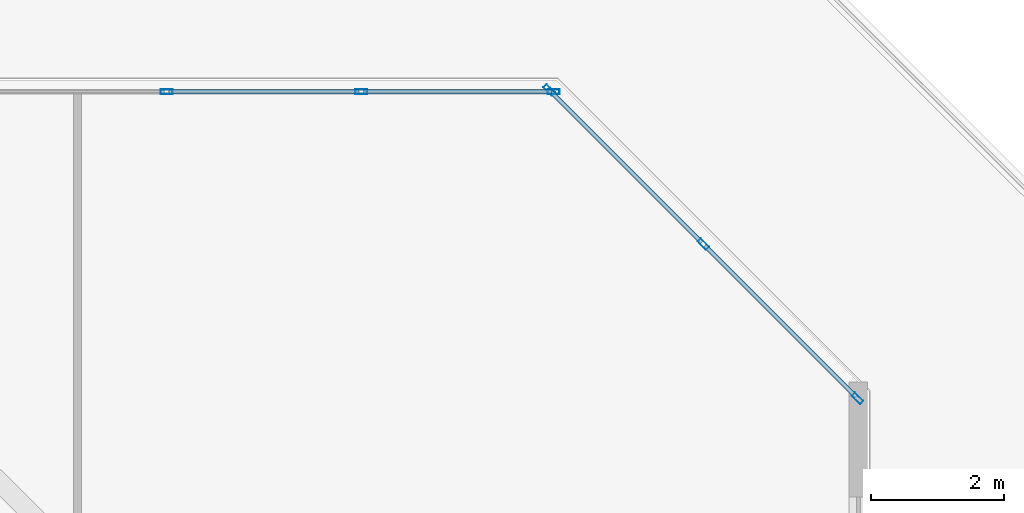
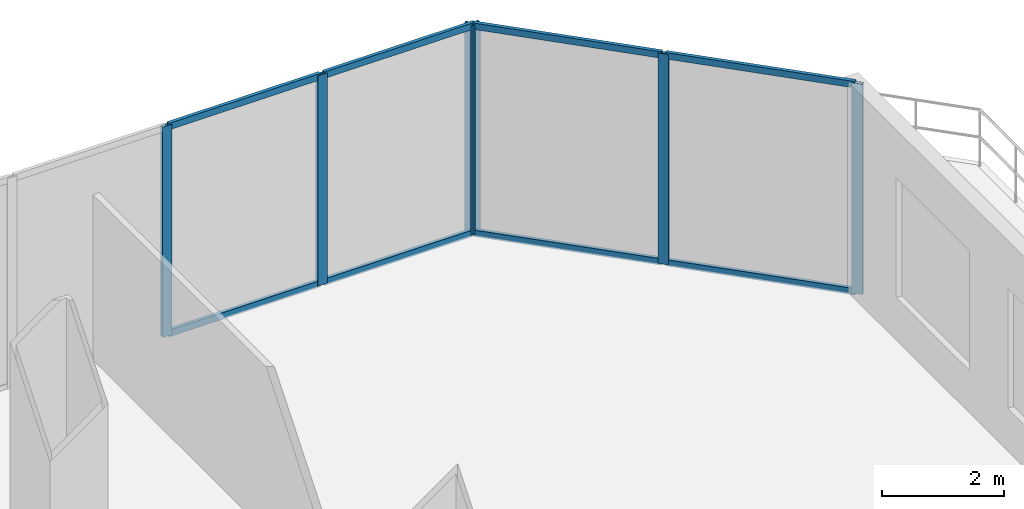
# One storey, part 22 of 31: 14 members, 2 elements without a shape of their own.
"""IFC4 building model written with IfcOpenShell, lengths in metres."""

import ifcopenshell
import ifcopenshell.guid

model = None  # the IFC model being written
_history = None  # IfcOwnerHistory: only IFC2X3 demands one
_inside = {}  # id of a spatial element -> (the spatial element, [elements in it])
_under = {}  # id of a project, library or spatial element -> (it, [spatial elements below it])
_declared = {}  # id of a project -> (the project, [libraries it declares])
_typed = {}  # id of a type object -> (the type object, [elements of that type])
_made_of = {}  # id of a material, layer set ... -> (it, [elements and type objects made of it])


def new_model(schema):
    """Start an empty IFC model of exactly this schema.

    Asked for "IFC4X3", IfcOpenShell would pick the latest addendum, in which some entities
    have other attributes; the version numbers below select the first issue.
    IFC2X3 requires an IfcOwnerHistory on every rooted entity: one is made here for all.
    """
    global model, _history
    if schema == "IFC4X3":
        model = ifcopenshell.file(schema_version=(4, 3, 0, 0))
    else:
        model = ifcopenshell.file(schema=schema)
    _inside.clear()
    _under.clear()
    _declared.clear()
    _typed.clear()
    _made_of.clear()
    _history = None
    if model.schema == "IFC2X3":
        org = make("IfcOrganization", Name="unknown")
        user = make(
            "IfcPersonAndOrganization",
            ThePerson=make("IfcPerson", FamilyName="unknown"),
            TheOrganization=org,
        )
        app = make(
            "IfcApplication",
            ApplicationDeveloper=org,
            Version="unknown",
            ApplicationFullName="unknown",
            ApplicationIdentifier="unknown",
        )
        _history = make(
            "IfcOwnerHistory",
            OwningUser=user,
            OwningApplication=app,
            ChangeAction="ADDED",
            CreationDate=0,
        )
    return model


def make(cls, **values):
    """One entity of the class cls with the attributes given. An attribute that is None is left unset."""
    return model.create_entity(
        cls, **{name: value for name, value in values.items() if value is not None}
    )


def rooted(cls, **values):
    """An entity with a GlobalId (a new one), such as an element, a storey or a relation."""
    return make(cls, GlobalId=ifcopenshell.guid.new(), OwnerHistory=_history, **values)


def si_unit(unit_type, name, prefix=None):
    """IfcSIUnit, for example si_unit("LENGTHUNIT", "METRE", prefix="MILLI")."""
    return make("IfcSIUnit", UnitType=unit_type, Prefix=prefix, Name=name)


def assignment(units):
    """IfcUnitAssignment: the units of a project."""
    return None if units is None else make("IfcUnitAssignment", Units=units)


def point(xyz):
    """IfcCartesianPoint."""
    return None if xyz is None else make("IfcCartesianPoint", Coordinates=xyz)


def direction(xyz):
    """IfcDirection."""
    return None if xyz is None else make("IfcDirection", DirectionRatios=xyz)


def frame(location, z_axis=None, x_axis=None):
    """IfcAxis2Placement3D, a coordinate frame: its origin and axes. An axis left out is left unset."""
    return make(
        "IfcAxis2Placement3D",
        Location=point(location),
        Axis=direction(z_axis),
        RefDirection=direction(x_axis),
    )


def frame_2d(location, x_axis=None):
    """IfcAxis2Placement2D, a coordinate frame in the plane: its origin and x axis."""
    return make(
        "IfcAxis2Placement2D", Location=point(location), RefDirection=direction(x_axis)
    )


def origin():
    """The frame at (0, 0, 0) with its axes left unset."""
    return frame((0.0, 0.0, 0.0))


def origin_2d():
    """The frame at (0, 0) in the plane with its x axis left unset."""
    return frame_2d((0.0, 0.0))


def place(relative_to, where):
    """IfcLocalPlacement: puts the frame where relative to a parent placement (None: the world)."""
    return make(
        "IfcLocalPlacement", PlacementRelTo=relative_to, RelativePlacement=where
    )


def context(
    kind, dimensions, precision=None, world=None, true_north=None, identifier=None
):
    """IfcGeometricRepresentationContext, for example the 3D "Model" context."""
    return make(
        "IfcGeometricRepresentationContext",
        ContextIdentifier=identifier,
        ContextType=kind,
        CoordinateSpaceDimension=dimensions,
        Precision=precision,
        WorldCoordinateSystem=world,
        TrueNorth=true_north,
    )


def subcontext(parent, identifier, kind, view, scale=None):
    """IfcGeometricRepresentationSubContext, for example "Body" below "Model"."""
    return make(
        "IfcGeometricRepresentationSubContext",
        ContextIdentifier=identifier,
        ContextType=kind,
        ParentContext=parent,
        TargetScale=scale,
        TargetView=view,
    )


def project(units=None, contexts=None):
    """IfcProject with its units and contexts."""
    return rooted(
        "IfcProject",
        Name="project",
        RepresentationContexts=contexts,
        UnitsInContext=assignment(units),
    )


def spatial(cls, under=None, at=None, **own):
    """A site, building, storey or space (cls), placed at a placement, below another one or the project."""
    s = rooted(cls, ObjectPlacement=at, **own)
    if under is not None:
        _under.setdefault(under.id(), (under, []))[1].append(s)
    return s


def profile(cls, at=None, kind="AREA", **sizes):
    """A parametric profile (cls). Its sizes go by their IFC names, for example OverallWidth=200.0."""
    return make(cls, ProfileType=kind, Position=at, **sizes)


def hollow_rectangle(**sizes):
    """IfcRectangleHollowProfileDef."""
    return profile("IfcRectangleHollowProfileDef", **sizes)


def extrude(swept, where, along, depth):
    """IfcExtrudedAreaSolid: the profile swept, set in the frame where, extruded along a direction by depth."""
    return make(
        "IfcExtrudedAreaSolid",
        SweptArea=swept,
        Position=where,
        ExtrudedDirection=direction(along),
        Depth=depth,
    )


def shape(context_of_items, identifier, shape_type, items):
    """IfcShapeRepresentation: the items that make up one representation, for example the "Body"."""
    return make(
        "IfcShapeRepresentation",
        ContextOfItems=context_of_items,
        RepresentationIdentifier=identifier,
        RepresentationType=shape_type,
        Items=items,
    )


def material(Name=None, Category=None):
    """IfcMaterial."""
    return make("IfcMaterial", Name=Name, Category=Category)


def layer(
    of_material, thickness, ventilated=None, Name=None, Category=None, Priority=None
):
    """IfcMaterialLayer: one layer of a wall or slab, of a material (None: an air gap)."""
    return make(
        "IfcMaterialLayer",
        Material=of_material,
        LayerThickness=thickness,
        IsVentilated=ventilated,
        Name=Name,
        Category=Category,
        Priority=Priority,
    )


def layer_set(layers, Name=None):
    """IfcMaterialLayerSet."""
    return make("IfcMaterialLayerSet", MaterialLayers=layers, LayerSetName=Name)


def material_profile(
    of_material, cross_section, Name=None, Category=None, Priority=None
):
    """IfcMaterialProfile: a cross section and its material."""
    return make(
        "IfcMaterialProfile",
        Name=Name,
        Material=of_material,
        Profile=cross_section,
        Priority=Priority,
        Category=Category,
    )


def profile_set(profiles, Name=None, composite=None):
    """IfcMaterialProfileSet."""
    return make(
        "IfcMaterialProfileSet",
        Name=Name,
        MaterialProfiles=profiles,
        CompositeProfile=composite,
    )


def made_of(thing, what):
    """Note that an element or type object is made of a material, layer set ...; save() writes the relation."""
    if what is not None:
        _made_of.setdefault(what.id(), (what, []))[1].append(thing)
    return thing


def type_object(cls, material=None, **own):
    """A type object (cls), such as IfcWallType, which elements share."""
    return made_of(rooted(cls, **own), material)


def element(
    cls,
    number,
    at=None,
    inside=None,
    cuts=None,
    type_object=None,
    material=None,
    context=None,
    identifier="Body",
    shape_type=None,
    held_by="IfcProductDefinitionShape",
    body=None,
    shapes=None,
    **own,
):
    """One element of the class cls, such as IfcWall. Its Tag is "e" and its number.

    at: its placement. inside: the storey or other place that contains it. cuts: it is an
    opening in that element (IfcRelVoidsElement). A single representation is given by context,
    identifier, shape_type and body (its items); several are given by shapes. held_by: the class
    of the entity that holds the representations. save() writes the other relations.
    """
    e = rooted(cls, Tag="e%d" % number, ObjectPlacement=at, **own)
    if body is not None:
        shapes = [shape(context, identifier, shape_type, body)]
    if shapes is not None:
        e.Representation = make(held_by, Representations=shapes)
    if inside is not None:
        _inside.setdefault(inside.id(), (inside, []))[1].append(e)
    if cuts is not None:
        rooted(
            "IfcRelVoidsElement", RelatingBuildingElement=cuts, RelatedOpeningElement=e
        )
    if type_object is not None:
        _typed.setdefault(type_object.id(), (type_object, []))[1].append(e)
    return made_of(e, material)


def aggregate(whole, parts):
    """IfcRelAggregates: a whole, such as a stair, and the parts it consists of."""
    return rooted("IfcRelAggregates", RelatingObject=whole, RelatedObjects=parts)


def save(model, path):
    """Write the relations noted so far, then the file.

    IfcRelAggregates (storeys below a building ...), IfcRelContainedInSpatialStructure (elements
    in a storey), IfcRelDefinesByType, IfcRelAssociatesMaterial and IfcRelDeclares: one each for
    every whole, place, type object, material and project.
    """
    for whole, parts in _under.values():
        aggregate(whole, parts)
    for where, things in _inside.values():
        rooted(
            "IfcRelContainedInSpatialStructure",
            RelatedElements=things,
            RelatingStructure=where,
        )
    for kind, things in _typed.values():
        rooted("IfcRelDefinesByType", RelatedObjects=things, RelatingType=kind)
    for what, things in _made_of.values():
        rooted("IfcRelAssociatesMaterial", RelatedObjects=things, RelatingMaterial=what)
    for by, libraries in _declared.values():
        rooted("IfcRelDeclares", RelatingContext=by, RelatedDefinitions=libraries)
    model.write(path)


model = new_model("IFC4")

# Units and contexts
model_context = context("Model", 3, precision=1e-05, world=origin(), true_north=direction((0.0, 1.0)))
body_context = subcontext(model_context, "Body", "Model", "MODEL_VIEW")
ifc_project = project(units=[si_unit("LENGTHUNIT", "METRE"), si_unit("AREAUNIT", "SQUARE_METRE"), si_unit("VOLUMEUNIT", "CUBIC_METRE"), si_unit("PLANEANGLEUNIT", "RADIAN"), si_unit("MASSUNIT", "GRAM", prefix="KILO")], contexts=[model_context])

# Site, building, storey
site_placement = place(None, origin())
site = spatial("IfcSite", under=ifc_project, at=site_placement, CompositionType="ELEMENT")
building_placement = place(site_placement, origin())
building = spatial("IfcBuilding", under=site, at=building_placement, Name="Caelvoria Tower", CompositionType="ELEMENT")
storey_placement = place(building_placement, frame((0.0, 0.0, 9.5)))
storey = spatial("IfcBuildingStorey", under=building, at=storey_placement, Name="L02", CompositionType="ELEMENT", Elevation=9.5)

# Curtain wall, members
ifc_material_1 = material(Name="Anodised Bronze Aluminium and Low-E Glass", Category="aluminium")
ifc_layer = layer(ifc_material_1, 0.199951171875, Name="Anodised Bronze Aluminium and Low-E Glass")
ifc_layer_set = layer_set([ifc_layer], Name="CW System 1 Podium Arcade Unitised Glazing - Anodised Bronze Aluminium and Low-E Glass")
curtain_wall_type = type_object("IfcCurtainWallType", Name="CW System 1 Podium Arcade Unitised Glazing", PredefinedType="NOTDEFINED", material=ifc_layer_set)
curtain_wall_1_placement = place(storey_placement, origin())
curtain_wall_1 = element("IfcCurtainWall", 1, at=curtain_wall_1_placement, inside=storey, type_object=curtain_wall_type, Name="CW-01 Curtain Wall L02-E3", PredefinedType="NOTDEFINED")
ifc_material_2 = material(Name="Anodised Bronze Architectural Aluminium", Category="aluminium")
ifc_material_profile_1 = material_profile(ifc_material_2, hollow_rectangle(XDim=0.070068359375, YDim=0.179931640625, WallThickness=0.00390625, at=origin_2d()), Name="Anodised Bronze Architectural Aluminium")
ifc_profile_set_1 = profile_set([ifc_material_profile_1], Name="CW_MULL_70X180 - Anodised Bronze Architectural Aluminium")
member_type_1 = type_object("IfcMemberType", Name="Curtain Wall Mullion 70x180 Bronze Aluminium", PredefinedType="MULLION", material=ifc_profile_set_1)
member_1_placement = place(storey_placement, frame((82.847900390625, 52.99755859375, 0.0), z_axis=(0.0, 0.0, 1.0), x_axis=(-0.707106781187, -0.707106781187, 0.0)))
member_1 = element("IfcMember", 2, at=member_1_placement, type_object=member_type_1, Name="CW-01 mullion 1", PredefinedType="MULLION", context=body_context, shape_type="SweptSolid", body=[
    extrude(hollow_rectangle(XDim=0.070068359375, YDim=0.179931640625, WallThickness=0.00390625, at=origin_2d()), origin(), (0.0, 0.0, 1.0), 4.2099609375),
])
member_2_placement = place(storey_placement, frame((80.522705078125, 55.32275390625, 0.0), z_axis=(0.0, 0.0, 1.0), x_axis=(-0.707106781187, -0.707106781187, 0.0)))
member_2 = element("IfcMember", 3, at=member_2_placement, type_object=member_type_1, Name="CW-01 mullion 2", PredefinedType="MULLION", context=body_context, shape_type="SweptSolid", body=[
    extrude(hollow_rectangle(XDim=0.070068359375, YDim=0.179931640625, WallThickness=0.00390625, at=origin_2d()), origin(), (0.0, 0.0, 1.0), 4.2099609375),
])
member_3_placement = place(storey_placement, frame((78.197509765625, 57.64794921875, 0.0), z_axis=(0.0, 0.0, 1.0), x_axis=(-0.707106781187, -0.707106781187, 0.0)))
member_3 = element("IfcMember", 4, at=member_3_placement, type_object=member_type_1, Name="CW-01 mullion 3", PredefinedType="MULLION", context=body_context, shape_type="SweptSolid", body=[
    extrude(hollow_rectangle(XDim=0.070068359375, YDim=0.179931640625, WallThickness=0.00390625, at=origin_2d()), origin(), (0.0, 0.0, 1.0), 4.2099609375),
])

curtain_wall_2_placement = place(storey_placement, origin())
curtain_wall_2 = element("IfcCurtainWall", 5, at=curtain_wall_2_placement, inside=storey, type_object=curtain_wall_type, Name="CW-01 Curtain Wall L02-E4", PredefinedType="NOTDEFINED")
member_4_placement = place(storey_placement, frame((78.264892578125, 57.6201171875, 0.0), z_axis=(0.0, 0.0, 1.0), x_axis=(0.0, -1.0, 0.0)))
member_4 = element("IfcMember", 6, at=member_4_placement, type_object=member_type_1, Name="CW-01 mullion 1", PredefinedType="MULLION", context=body_context, shape_type="SweptSolid", body=[
    extrude(hollow_rectangle(XDim=0.070068359375, YDim=0.179931640625, WallThickness=0.00390625, at=origin_2d()), origin(), (0.0, 0.0, 1.0), 4.2099609375),
])
member_5_placement = place(storey_placement, frame((75.363525390625, 57.6201171875, 0.0), z_axis=(0.0, 0.0, 1.0), x_axis=(0.0, -1.0, 0.0)))
member_5 = element("IfcMember", 7, at=member_5_placement, type_object=member_type_1, Name="CW-01 mullion 2", PredefinedType="MULLION", context=body_context, shape_type="SweptSolid", body=[
    extrude(hollow_rectangle(XDim=0.070068359375, YDim=0.179931640625, WallThickness=0.00390625, at=origin_2d()), origin(), (0.0, 0.0, 1.0), 4.2099609375),
])
member_6_placement = place(storey_placement, frame((72.42724609375, 57.6201171875, 0.0), z_axis=(0.0, 0.0, 1.0), x_axis=(0.0, -1.0, 0.0)))
member_6 = element("IfcMember", 8, at=member_6_placement, type_object=member_type_1, Name="CW-01 mullion 3", PredefinedType="MULLION", context=body_context, shape_type="SweptSolid", body=[
    extrude(hollow_rectangle(XDim=0.070068359375, YDim=0.179931640625, WallThickness=0.00390625, at=origin_2d()), origin(), (0.0, 0.0, 1.0), 4.2099609375),
])

# Member
ifc_material_profile_2 = material_profile(ifc_material_2, hollow_rectangle(XDim=0.06494140625, YDim=0.1298828125, WallThickness=0.00341796875, at=origin_2d()), Name="Anodised Bronze Architectural Aluminium")
ifc_profile_set_2 = profile_set([ifc_material_profile_2], Name="CW_TRAN_65X130 - Anodised Bronze Architectural Aluminium")
member_type_2 = type_object("IfcMemberType", Name="Curtain Wall Transom 65x130 Bronze Aluminium", PredefinedType="USERDEFINED", material=ifc_profile_set_2)
member_7_placement = place(storey_placement, frame((82.8232421875, 53.022216796875, 0.032470703125), z_axis=(-0.707144708978, 0.707068851361, 0.0), x_axis=(-0.707068851361, -0.707144708978, 0.0)))
member_7 = element("IfcMember", 9, at=member_7_placement, type_object=member_type_2, Name="CW-01 transom 1.1", ObjectType="TRANSOM", PredefinedType="USERDEFINED", context=body_context, shape_type="SweptSolid", body=[
    extrude(hollow_rectangle(XDim=0.06494140625, YDim=0.1298828125, WallThickness=0.00341796875, at=origin_2d()), origin(), (0.0, 0.0, 1.0), 3.218505859375),
])

member_8_placement = place(storey_placement, frame((82.8232421875, 53.022216796875, 4.177490234375), z_axis=(-0.707144708978, 0.707068851361, 0.0), x_axis=(-0.707068851361, -0.707144708978, 0.0)))
member_8 = element("IfcMember", 10, at=member_8_placement, type_object=member_type_2, Name="CW-01 transom 1.2", ObjectType="TRANSOM", PredefinedType="USERDEFINED", context=body_context, shape_type="SweptSolid", body=[
    extrude(hollow_rectangle(XDim=0.06494140625, YDim=0.1298828125, WallThickness=0.00341796875, at=origin_2d()), origin(), (0.0, 0.0, 1.0), 3.218505859375),
])

member_9_placement = place(storey_placement, frame((80.498046875, 55.347412109375, 0.032470703125), z_axis=(-0.707106781187, 0.707106781187, 0.0), x_axis=(-0.707106781187, -0.707106781187, 0.0)))
member_9 = element("IfcMember", 11, at=member_9_placement, type_object=member_type_2, Name="CW-01 transom 2.1", ObjectType="TRANSOM", PredefinedType="USERDEFINED", context=body_context, shape_type="SweptSolid", body=[
    extrude(hollow_rectangle(XDim=0.06494140625, YDim=0.1298828125, WallThickness=0.00341796875, at=origin_2d()), origin(), (0.0, 0.0, 1.0), 3.218505859375),
])

member_10_placement = place(storey_placement, frame((80.498046875, 55.347412109375, 4.177490234375), z_axis=(-0.707106781187, 0.707106781187, 0.0), x_axis=(-0.707106781187, -0.707106781187, 0.0)))
member_10 = element("IfcMember", 12, at=member_10_placement, type_object=member_type_2, Name="CW-01 transom 2.2", ObjectType="TRANSOM", PredefinedType="USERDEFINED", context=body_context, shape_type="SweptSolid", body=[
    extrude(hollow_rectangle(XDim=0.06494140625, YDim=0.1298828125, WallThickness=0.00341796875, at=origin_2d()), origin(), (0.0, 0.0, 1.0), 3.218505859375),
])

aggregate(curtain_wall_1, [member_1, member_2, member_3, member_7, member_8, member_9, member_10])

member_11_placement = place(storey_placement, frame((78.22998046875, 57.6201171875, 0.032470703125), z_axis=(-1.0, 0.0, 0.0), x_axis=(0.0, -1.0, 0.0)))
member_11 = element("IfcMember", 13, at=member_11_placement, type_object=member_type_2, Name="CW-01 transom 1.1", ObjectType="TRANSOM", PredefinedType="USERDEFINED", context=body_context, shape_type="SweptSolid", body=[
    extrude(hollow_rectangle(XDim=0.06494140625, YDim=0.1298828125, WallThickness=0.00341796875, at=origin_2d()), origin(), (0.0, 0.0, 1.0), 2.831298828125),
])

member_12_placement = place(storey_placement, frame((78.22998046875, 57.6201171875, 4.177490234375), z_axis=(-1.0, 0.0, 0.0), x_axis=(0.0, -1.0, 0.0)))
member_12 = element("IfcMember", 14, at=member_12_placement, type_object=member_type_2, Name="CW-01 transom 1.2", ObjectType="TRANSOM", PredefinedType="USERDEFINED", context=body_context, shape_type="SweptSolid", body=[
    extrude(hollow_rectangle(XDim=0.06494140625, YDim=0.1298828125, WallThickness=0.00341796875, at=origin_2d()), origin(), (0.0, 0.0, 1.0), 2.831298828125),
])

member_13_placement = place(storey_placement, frame((75.32861328125, 57.6201171875, 0.032470703125), z_axis=(-1.0, 0.0, 0.0), x_axis=(0.0, -1.0, 0.0)))
member_13 = element("IfcMember", 15, at=member_13_placement, type_object=member_type_2, Name="CW-01 transom 2.1", ObjectType="TRANSOM", PredefinedType="USERDEFINED", context=body_context, shape_type="SweptSolid", body=[
    extrude(hollow_rectangle(XDim=0.06494140625, YDim=0.1298828125, WallThickness=0.00341796875, at=origin_2d()), origin(), (0.0, 0.0, 1.0), 2.866455078125),
])

member_14_placement = place(storey_placement, frame((75.32861328125, 57.6201171875, 4.177490234375), z_axis=(-1.0, 0.0, 0.0), x_axis=(0.0, -1.0, 0.0)))
member_14 = element("IfcMember", 16, at=member_14_placement, type_object=member_type_2, Name="CW-01 transom 2.2", ObjectType="TRANSOM", PredefinedType="USERDEFINED", context=body_context, shape_type="SweptSolid", body=[
    extrude(hollow_rectangle(XDim=0.06494140625, YDim=0.1298828125, WallThickness=0.00341796875, at=origin_2d()), origin(), (0.0, 0.0, 1.0), 2.866455078125),
])

aggregate(curtain_wall_2, [member_4, member_5, member_6, member_11, member_12, member_13, member_14])

save(model, "model.ifc")
